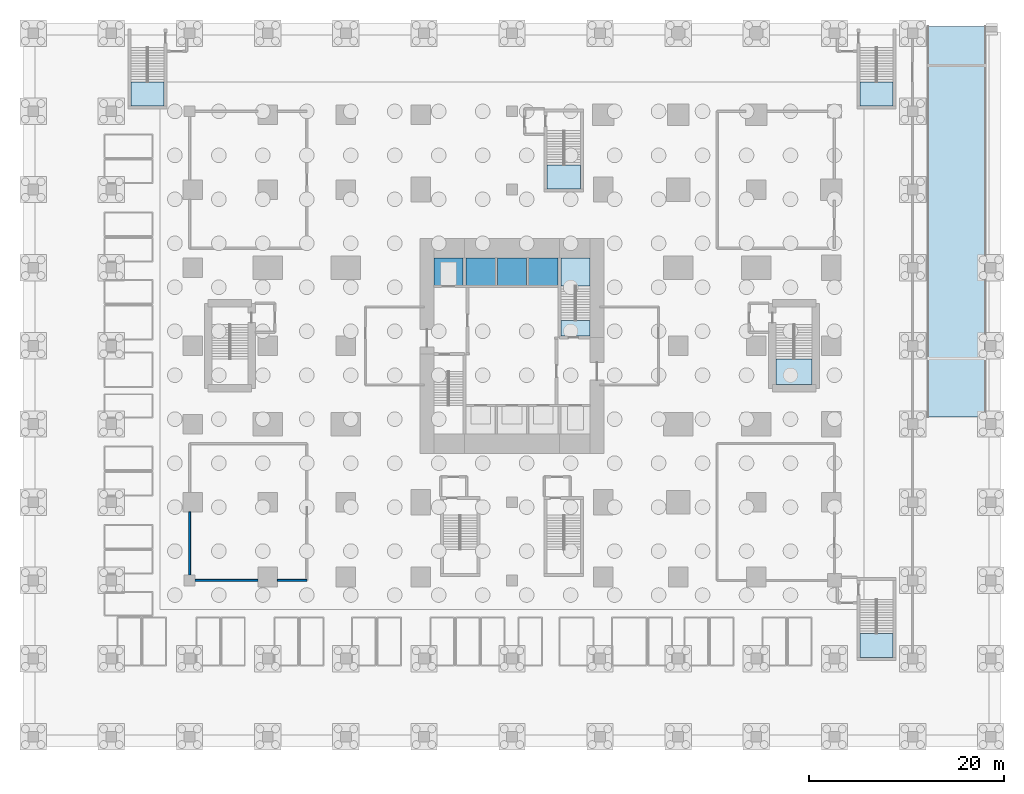
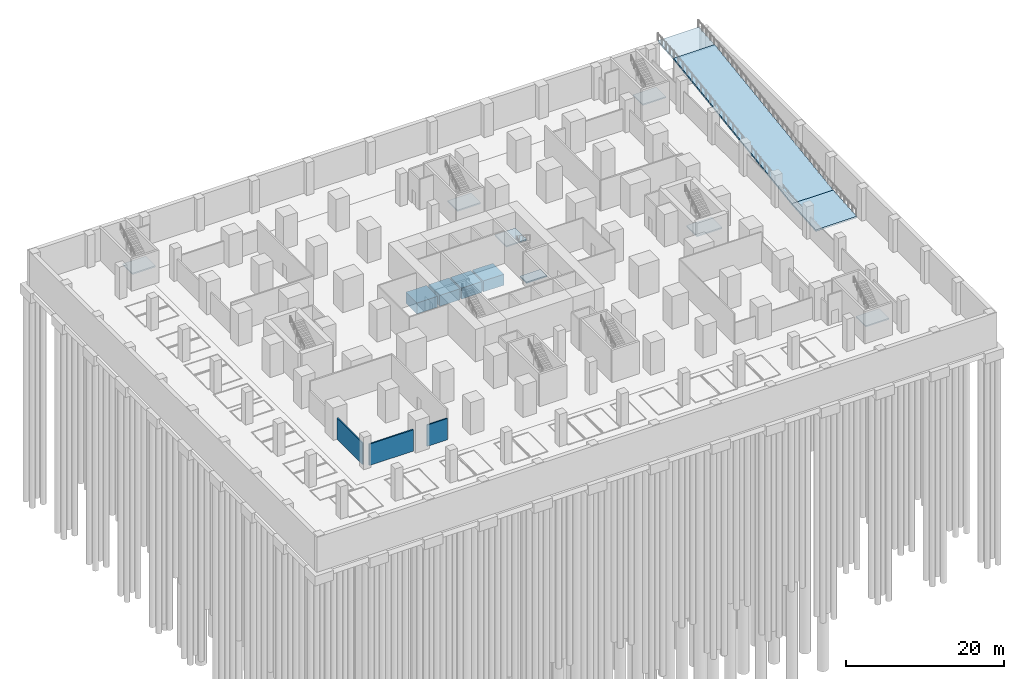
# One storey, part 4 of 17: 14 slabs, 3 walls, 7 elements without a shape of their own.
"""IFC4 building model written with IfcOpenShell, lengths in metres."""

from ifc_helpers import new_model, si_unit, direction, frame, frame_2d, origin, place, context, subcontext, project, spatial, polyline, rectangle, outline, extrude, material, layer, layer_set, type_object, element, aggregate, save


model = new_model("IFC4")

# Units and contexts
model_context = context("Model", 3, precision=1e-05, world=origin(), true_north=direction((0.0, 1.0)))
body_context = subcontext(model_context, "Body", "Model", "MODEL_VIEW")
ifc_project = project(units=[si_unit("LENGTHUNIT", "METRE"), si_unit("AREAUNIT", "SQUARE_METRE"), si_unit("VOLUMEUNIT", "CUBIC_METRE"), si_unit("PLANEANGLEUNIT", "RADIAN"), si_unit("MASSUNIT", "GRAM", prefix="KILO")], contexts=[model_context])

# Site, building, storey
site_placement = place(None, origin())
site = spatial("IfcSite", under=ifc_project, at=site_placement, CompositionType="ELEMENT")
building_placement = place(site_placement, origin())
building = spatial("IfcBuilding", under=site, at=building_placement, Name="Cleftline Residences", CompositionType="ELEMENT")
storey_placement = place(building_placement, frame((0.0, 0.0, -5.0)))
storey = spatial("IfcBuildingStorey", under=building, at=storey_placement, Name="L-01", CompositionType="ELEMENT", Elevation=-5.0)

# Assembly, slabs
assembly_placement = place(storey_placement, origin())
assembly = element("IfcElementAssembly", 1, at=assembly_placement, inside=storey, Name="Car park ramp", ObjectType="CAR PARK RAMP", PredefinedType="USERDEFINED")
ifc_material_1 = material(Name="Concrete B45", Category="concrete")
ifc_layer_1 = layer(ifc_material_1, 0.260009765625)
ifc_layer_set_1 = layer_set([ifc_layer_1], Name="CAR PARK RAMP SLAB B45 260")
slab_type_1 = type_object("IfcSlabType", Name="CAR PARK RAMP SLAB B45 260", PredefinedType="USERDEFINED", material=ifc_layer_set_1)
slab_1_placement = place(storey_placement, frame((78.5, 56.699951171875, 5.0), z_axis=(0.0, 0.0, 1.0), x_axis=(0.0, -1.0, 0.0)))
slab_1 = element("IfcSlab", 2, at=slab_1_placement, type_object=slab_type_1, Name="Car park ramp slab 1", ObjectType="RAMP SLAB", PredefinedType="USERDEFINED", context=body_context, shape_type="SweptSolid", body=[
    extrude(outline(polyline([(0.0, 0.0), (4.0, -0.285888671875), (4.0, -0.5458984375), (0.0, -0.260009765625), (0.0, 0.0)])), frame((0.0, 3.0, 0.0), z_axis=(0.0, -1.0, 0.0), x_axis=(1.0, 0.0, 0.0)), (0.0, 0.0, 1.0), 6.0),
])
slab_2_placement = place(storey_placement, frame((78.5, 52.699951171875, 4.714111328125), z_axis=(0.0, 0.0, 1.0), x_axis=(0.0, -1.0, 0.0)))
slab_2 = element("IfcSlab", 3, at=slab_2_placement, type_object=slab_type_1, Name="Car park ramp slab 2", ObjectType="RAMP SLAB", PredefinedType="USERDEFINED", context=body_context, shape_type="SweptSolid", body=[
    extrude(outline(polyline([(0.0, 0.0), (30.0, -4.28515625), (30.0, -4.545166015625), (0.0, -0.260009765625), (0.0, 0.0)])), frame((0.0, 3.0, 0.0), z_axis=(0.0, -1.0, 0.0), x_axis=(1.0, 0.0, 0.0)), (0.0, 0.0, 1.0), 6.0),
])
slab_3_placement = place(storey_placement, frame((78.5, 22.699951171875, 0.428955078125), z_axis=(0.0, 0.0, 1.0), x_axis=(0.0, -1.0, 0.0)))
slab_3 = element("IfcSlab", 4, at=slab_3_placement, type_object=slab_type_1, Name="Car park ramp slab 3", ObjectType="RAMP SLAB", PredefinedType="USERDEFINED", context=body_context, shape_type="SweptSolid", body=[
    extrude(outline(polyline([(0.0, 0.0), (6.0, -0.428955078125), (6.0, -0.68896484375), (0.0, -0.260009765625), (0.0, 0.0)])), frame((0.0, 3.0, 0.0), z_axis=(0.0, -1.0, 0.0), x_axis=(1.0, 0.0, 0.0)), (0.0, 0.0, 1.0), 6.0),
])
aggregate(assembly, [slab_1, slab_2, slab_3])

# Slabs
ifc_material_2 = material(Name="Concrete B40", Category="concrete")
ifc_layer_2 = layer(ifc_material_2, 1.699951171875)
ifc_layer_set_2 = layer_set([ifc_layer_2], Name="LIFT PIT SLAB")
slab_type_2 = type_object("IfcSlabType", Name="LIFT PIT SLAB", PredefinedType="BASESLAB", material=ifc_layer_set_2)
slab_4_placement = place(storey_placement, frame((0.0, 0.0, -3.5)))
element("IfcSlab", 5, at=slab_4_placement, inside=storey, type_object=slab_type_2, Name="Lift pit base FL1", PredefinedType="BASESLAB", context=body_context, shape_type="SweptSolid", body=[
    extrude(outline(polyline([(28.0, 30.199951171875), (28.0, 33.0), (25.0, 33.0), (25.0, 30.199951171875), (28.0, 30.199951171875)])), origin(), (0.0, 0.0, 1.0), 1.699951171875),
])
slab_5_placement = place(storey_placement, frame((0.0, 0.0, -3.5)))
element("IfcSlab", 6, at=slab_5_placement, inside=storey, type_object=slab_type_2, Name="Lift pit base P4", PredefinedType="BASESLAB", context=body_context, shape_type="SweptSolid", body=[
    extrude(outline(polyline([(31.300048828125, 30.199951171875), (31.300048828125, 33.0), (28.300048828125, 33.0), (28.300048828125, 30.199951171875), (31.300048828125, 30.199951171875)])), origin(), (0.0, 0.0, 1.0), 1.699951171875),
])
slab_6_placement = place(storey_placement, frame((0.0, 0.0, -3.5)))
element("IfcSlab", 7, at=slab_6_placement, inside=storey, type_object=slab_type_2, Name="Lift pit base P5", PredefinedType="BASESLAB", context=body_context, shape_type="SweptSolid", body=[
    extrude(outline(polyline([(34.5, 30.199951171875), (34.5, 33.0), (31.5, 33.0), (31.5, 30.199951171875), (34.5, 30.199951171875)])), origin(), (0.0, 0.0, 1.0), 1.699951171875),
])
slab_7_placement = place(storey_placement, frame((0.0, 0.0, -3.5)))
element("IfcSlab", 8, at=slab_7_placement, inside=storey, type_object=slab_type_2, Name="Lift pit base P6", PredefinedType="BASESLAB", context=body_context, shape_type="SweptSolid", body=[
    extrude(outline(polyline([(37.699951171875, 30.199951171875), (37.699951171875, 33.0), (34.699951171875, 33.0), (34.699951171875, 30.199951171875), (37.699951171875, 30.199951171875)])), origin(), (0.0, 0.0, 1.0), 1.699951171875),
])

# Stair, slabs
ifc_material_3 = material(Name="Concrete B45, stone treads", Category="masonry")
stair_type_1 = type_object("IfcStairType", Name="STAIR B 1450 WIDE 179 RISER", PredefinedType="HALF_TURN_STAIR", material=ifc_material_3)
stair_1_placement = place(storey_placement, origin())
stair_1 = element("IfcStair", 9, at=stair_1_placement, inside=storey, type_object=stair_type_1, Name="Stair B L-01", PredefinedType="HALF_TURN_STAIR")
ifc_material_4 = material(Name="Concrete B45", Category="concrete")
ifc_layer_3 = layer(ifc_material_4, 0.199951171875)
ifc_layer_set_3 = layer_set([ifc_layer_3], Name="STAIR LANDING 200")
slab_type_3 = type_object("IfcSlabType", Name="STAIR LANDING 200", PredefinedType="LANDING", material=ifc_layer_set_3)
slab_8_placement = place(storey_placement, frame((0.0, 0.0, -0.199951171875)))
slab_8 = element("IfcSlab", 10, at=slab_8_placement, type_object=slab_type_3, Name="ST-B landing 1", PredefinedType="LANDING", context=body_context, shape_type="SweptSolid", body=[
    extrude(outline(polyline([(38.0, 25.0), (41.0, 25.0), (41.0, 26.60009765625), (38.0, 26.60009765625), (38.0, 25.0)])), origin(), (0.0, 0.0, 1.0), 0.199951171875),
])
slab_9_placement = place(storey_placement, frame((0.0, 0.0, 2.300048828125)))
slab_9 = element("IfcSlab", 11, at=slab_9_placement, type_object=slab_type_3, Name="ST-B landing 2", PredefinedType="LANDING", context=body_context, shape_type="SweptSolid", body=[
    extrude(outline(polyline([(38.0, 30.110107421875), (41.0, 30.110107421875), (41.0, 33.0), (38.0, 33.0), (38.0, 30.110107421875)])), origin(), (0.0, 0.0, 1.0), 0.199951171875),
])
aggregate(stair_1, [slab_8, slab_9])

# Stair, slab
ifc_material_5 = material(Name="Concrete B45, stone treads", Category="masonry")
stair_type_2 = type_object("IfcStairType", Name="STAIR D 1630 WIDE 179 RISER", PredefinedType="HALF_TURN_STAIR", material=ifc_material_5)
stair_2_placement = place(storey_placement, origin())
stair_2 = element("IfcStair", 12, at=stair_2_placement, inside=storey, type_object=stair_type_2, Name="Stair D L-01", PredefinedType="HALF_TURN_STAIR")
slab_10_placement = place(storey_placement, frame((0.0, 0.0, 2.300048828125)))
slab_10 = element("IfcSlab", 13, at=slab_10_placement, type_object=slab_type_3, Name="ST-D landing 1", PredefinedType="LANDING", context=body_context, shape_type="SweptSolid", body=[
    extrude(outline(polyline([(36.60009765625, 40.050048828125), (40.0, 40.050048828125), (40.0, 42.510009765625), (36.60009765625, 42.510009765625), (36.60009765625, 40.050048828125)])), origin(), (0.0, 0.0, 1.0), 0.199951171875),
])
aggregate(stair_2, [slab_10])

ifc_material_6 = material(Name="Concrete B45, stone treads", Category="masonry")
stair_type_3 = type_object("IfcStairType", Name="STAIR E 1800 WIDE 179 RISER", PredefinedType="HALF_TURN_STAIR", material=ifc_material_6)
stair_3_placement = place(storey_placement, origin())
stair_3 = element("IfcStair", 14, at=stair_3_placement, inside=storey, type_object=stair_type_3, Name="Stair E L-01", PredefinedType="HALF_TURN_STAIR")
slab_11_placement = place(storey_placement, frame((0.0, 0.0, 2.300048828125)))
slab_11 = element("IfcSlab", 15, at=slab_11_placement, type_object=slab_type_3, Name="ST-E landing 1", PredefinedType="LANDING", context=body_context, shape_type="SweptSolid", body=[
    extrude(outline(polyline([(60.02490234375, 20.02490234375), (63.72509765625, 20.02490234375), (63.72509765625, 22.6650390625), (60.02490234375, 22.6650390625), (60.02490234375, 20.02490234375)])), origin(), (0.0, 0.0, 1.0), 0.199951171875),
])
aggregate(stair_3, [slab_11])

ifc_material_7 = material(Name="Concrete B45, stone treads", Category="masonry")
stair_type_4 = type_object("IfcStairType", Name="STAIR PS-E 1630 WIDE 179 RISER", PredefinedType="HALF_TURN_STAIR", material=ifc_material_7)
stair_4_placement = place(storey_placement, origin())
stair_4 = element("IfcStair", 16, at=stair_4_placement, inside=storey, type_object=stair_type_4, Name="Stair PS-E L-01", PredefinedType="HALF_TURN_STAIR")
slab_12_placement = place(storey_placement, frame((0.0, 0.0, 2.300048828125)))
slab_12 = element("IfcSlab", 17, at=slab_12_placement, type_object=slab_type_3, Name="ST-PS-E landing 1", PredefinedType="LANDING", context=body_context, shape_type="SweptSolid", body=[
    extrude(outline(polyline([(68.60009765625, 48.550048828125), (72.0, 48.550048828125), (72.0, 51.010009765625), (68.60009765625, 51.010009765625), (68.60009765625, 48.550048828125)])), origin(), (0.0, 0.0, 1.0), 0.199951171875),
])
aggregate(stair_4, [slab_12])

ifc_material_8 = material(Name="Concrete B45, stone treads", Category="masonry")
stair_type_5 = type_object("IfcStairType", Name="STAIR PS-S 1630 WIDE 179 RISER", PredefinedType="HALF_TURN_STAIR", material=ifc_material_8)
stair_5_placement = place(storey_placement, origin())
stair_5 = element("IfcStair", 18, at=stair_5_placement, inside=storey, type_object=stair_type_5, Name="Stair PS-S L-01", PredefinedType="HALF_TURN_STAIR")
slab_13_placement = place(storey_placement, frame((0.0, 0.0, 2.300048828125)))
slab_13 = element("IfcSlab", 19, at=slab_13_placement, type_object=slab_type_3, Name="ST-PS-S landing 1", PredefinedType="LANDING", context=body_context, shape_type="SweptSolid", body=[
    extrude(outline(polyline([(68.60009765625, -7.89990234375), (72.0, -7.89990234375), (72.0, -5.43994140625), (68.60009765625, -5.43994140625), (68.60009765625, -7.89990234375)])), origin(), (0.0, 0.0, 1.0), 0.199951171875),
])
aggregate(stair_5, [slab_13])

ifc_material_9 = material(Name="Concrete B45, stone treads", Category="masonry")
stair_type_6 = type_object("IfcStairType", Name="STAIR PS-W 1630 WIDE 179 RISER", PredefinedType="HALF_TURN_STAIR", material=ifc_material_9)
stair_6_placement = place(storey_placement, origin())
stair_6 = element("IfcStair", 20, at=stair_6_placement, inside=storey, type_object=stair_type_6, Name="Stair PS-W L-01", PredefinedType="HALF_TURN_STAIR")
slab_14_placement = place(storey_placement, frame((0.0, 0.0, 2.300048828125)))
slab_14 = element("IfcSlab", 21, at=slab_14_placement, type_object=slab_type_3, Name="ST-PS-W landing 1", PredefinedType="LANDING", context=body_context, shape_type="SweptSolid", body=[
    extrude(outline(polyline([(-6.0, 48.550048828125), (-2.60009765625, 48.550048828125), (-2.60009765625, 51.010009765625), (-6.0, 51.010009765625), (-6.0, 48.550048828125)])), origin(), (0.0, 0.0, 1.0), 0.199951171875),
])
aggregate(stair_6, [slab_14])

# Walls
ifc_material_10 = material(Name="Concrete blockwork, fire rated", Category="masonry")
ifc_layer_4 = layer(ifc_material_10, 0.199951171875)
ifc_layer_set_4 = layer_set([ifc_layer_4], Name="FIRE WALL 200")
wall_type = type_object("IfcWallType", Name="FIRE WALL 200", PredefinedType="PARTITIONING", material=ifc_layer_set_4)
wall_1_placement = place(storey_placement, frame((0.550048828125, 0.0, 0.0), z_axis=(0.0, 0.0, 1.0), x_axis=(1.0, 0.0, 0.0)))
element("IfcWall", 22, at=wall_1_placement, inside=storey, type_object=wall_type, Name="Fire separating wall", PredefinedType="PARTITIONING", context=body_context, shape_type="SweptSolid", body=[
    extrude(rectangle(XDim=6.449951171875, YDim=0.199951171875, at=frame_2d((3.22509765625, 0.0))), origin(), (0.0, 0.0, 1.0), 3.300048828125),
])
wall_2_placement = place(storey_placement, frame((9.0, 0.0, 0.0), z_axis=(0.0, 0.0, 1.0), x_axis=(1.0, 0.0, 0.0)))
element("IfcWall", 23, at=wall_2_placement, inside=storey, type_object=wall_type, Name="Fire separating wall", PredefinedType="PARTITIONING", context=body_context, shape_type="SweptSolid", body=[
    extrude(rectangle(XDim=3.0, YDim=0.199951171875, at=frame_2d((1.5, 0.0))), origin(), (0.0, 0.0, 1.0), 3.300048828125),
])
wall_3_placement = place(storey_placement, frame((0.0, 0.550048828125, 0.0), z_axis=(0.0, 0.0, 1.0), x_axis=(0.0, 1.0, 0.0)))
element("IfcWall", 24, at=wall_3_placement, inside=storey, type_object=wall_type, Name="Fire separating wall", PredefinedType="PARTITIONING", context=body_context, shape_type="SweptSolid", body=[
    extrude(rectangle(XDim=6.449951171875, YDim=0.199951171875, at=frame_2d((3.22509765625, 0.0))), origin(), (0.0, 0.0, 1.0), 3.300048828125),
])

save(model, "model.ifc")
